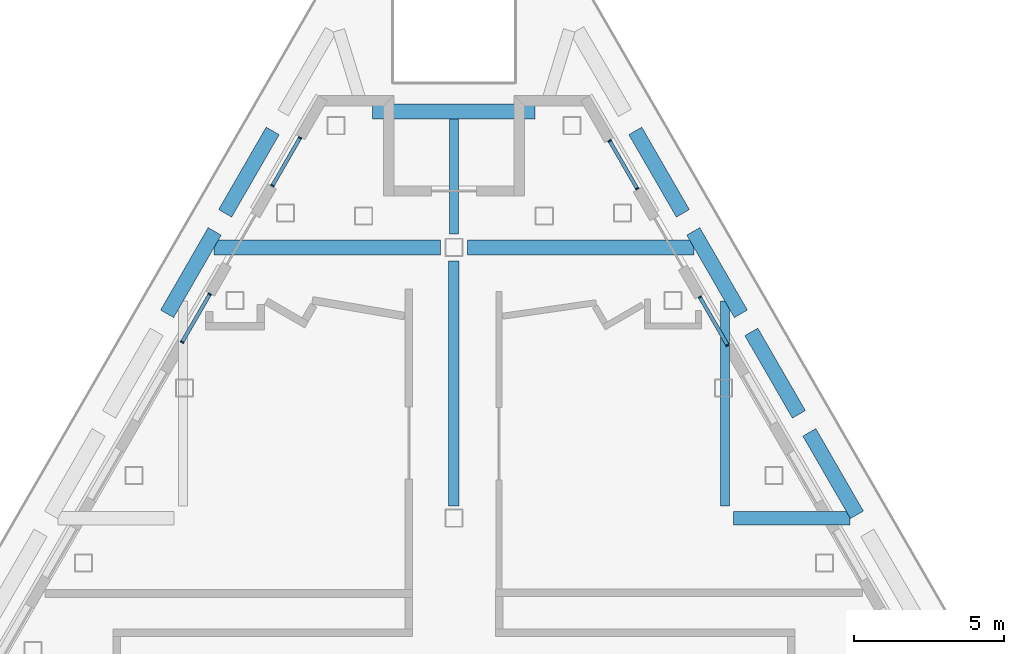
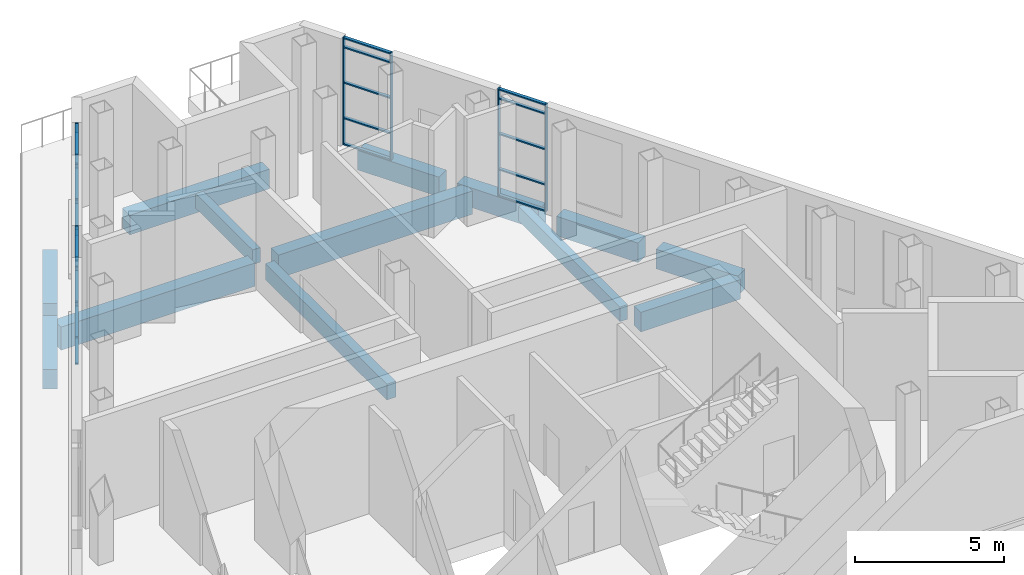
# One storey, part 2 of 7: 28 members, 13 beams, 4 elements without a shape of their own.
"""IFC4 building model written with IfcOpenShell, lengths in metres."""

from ifc_helpers import new_model, si_unit, direction, frame, origin, origin_2d, place, context, subcontext, project, spatial, rectangle, extrude, material, material_profile, profile_set, type_object, element, aggregate, save


model = new_model("IFC4")

# Units and contexts
model_context = context("Model", 3, precision=1e-05, world=origin(), true_north=direction((0.0, 1.0)))
body_context = subcontext(model_context, "Body", "Model", "MODEL_VIEW")
ifc_project = project(units=[si_unit("LENGTHUNIT", "METRE"), si_unit("AREAUNIT", "SQUARE_METRE"), si_unit("VOLUMEUNIT", "CUBIC_METRE"), si_unit("PLANEANGLEUNIT", "RADIAN"), si_unit("MASSUNIT", "GRAM", prefix="KILO")], contexts=[model_context])

# Site, building, storey
site_placement = place(None, origin())
site = spatial("IfcSite", under=ifc_project, at=site_placement, CompositionType="ELEMENT")
building_placement = place(site_placement, origin())
building = spatial("IfcBuilding", under=site, at=building_placement, Name="Fogline Exchange Tower", CompositionType="ELEMENT")
storey_placement = place(building_placement, frame((0.0, 0.0, 350.10009765625)))
storey = spatial("IfcBuildingStorey", under=building, at=storey_placement, Name="L79", CompositionType="ELEMENT", Elevation=350.10009765625)

# Beams
ifc_material_1 = material(Name="Concrete C40", Category="concrete")
ifc_material_profile_1 = material_profile(ifc_material_1, rectangle(XDim=0.300048828125, YDim=0.60009765625, at=origin_2d()), Name="RC 300x600")
ifc_profile_set_1 = profile_set([ifc_material_profile_1], Name="Concrete C40")
beam_type_1 = type_object("IfcBeamType", Name="B06", PredefinedType="BEAM", material=ifc_profile_set_1)
beam_1_placement = place(storey_placement, frame((0.0, 27.449951171875, -0.900146484375), z_axis=(0.0, 1.0, 0.0), x_axis=(-1.0, 0.0, 0.0)))
element("IfcBeam", 1, at=beam_1_placement, inside=storey, type_object=beam_type_1, Name="SB003", PredefinedType="BEAM", context=body_context, shape_type="SweptSolid", body=[
    extrude(rectangle(XDim=0.300048828125, YDim=0.60009765625, at=origin_2d()), origin(), (0.0, 0.0, 1.0), 3.80712890625),
])
beam_2_placement = place(storey_placement, frame((9.0, 18.39990234375, -0.900146484375), z_axis=(0.0, 1.0, 0.0), x_axis=(-1.0, 0.0, 0.0)))
element("IfcBeam", 2, at=beam_2_placement, inside=storey, type_object=beam_type_1, Name="SB004", PredefinedType="BEAM", context=body_context, shape_type="SweptSolid", body=[
    extrude(rectangle(XDim=0.300048828125, YDim=0.60009765625, at=origin_2d()), origin(), (0.0, 0.0, 1.0), 6.81298828125),
])
ifc_material_profile_2 = material_profile(ifc_material_1, rectangle(XDim=0.5, YDim=0.800048828125, at=origin_2d()), Name="RC 500x800")
ifc_profile_set_2 = profile_set([ifc_material_profile_2], Name="Concrete C40")
beam_type_2 = type_object("IfcBeamType", Name="B10", PredefinedType="BEAM", material=ifc_profile_set_2)
beam_3_placement = place(storey_placement, frame((13.388671875, 18.111572265625, -1.0), z_axis=(-0.500040948879, 0.866001760647, 0.0), x_axis=(-0.866001760647, -0.500040948879, 0.0)))
element("IfcBeam", 3, at=beam_3_placement, inside=storey, type_object=beam_type_2, Name="RB010", PredefinedType="BEAM", context=body_context, shape_type="SweptSolid", body=[
    extrude(rectangle(XDim=0.5, YDim=0.800048828125, at=origin_2d()), origin(), (0.0, 0.0, 1.0), 3.162841796875),
])
beam_4_placement = place(storey_placement, frame((11.460693359375, 21.45068359375, -1.0), z_axis=(-0.49998305571, 0.866035186354, 0.0), x_axis=(-0.866035186354, -0.49998305571, 0.0)))
element("IfcBeam", 4, at=beam_4_placement, inside=storey, type_object=beam_type_2, Name="RB011", PredefinedType="BEAM", context=body_context, shape_type="SweptSolid", body=[
    extrude(rectangle(XDim=0.5, YDim=0.800048828125, at=origin_2d()), origin(), (0.0, 0.0, 1.0), 3.16259765625),
])
beam_5_placement = place(storey_placement, frame((9.532958984375, 24.789794921875, -1.0), z_axis=(-0.500040948879, 0.866001760647, 0.0), x_axis=(-0.866001760647, -0.500040948879, 0.0)))
element("IfcBeam", 5, at=beam_5_placement, inside=storey, type_object=beam_type_2, Name="RB012", PredefinedType="BEAM", context=body_context, shape_type="SweptSolid", body=[
    extrude(rectangle(XDim=0.5, YDim=0.800048828125, at=origin_2d()), origin(), (0.0, 0.0, 1.0), 3.162841796875),
])
beam_6_placement = place(storey_placement, frame((7.60498046875, 28.12890625, -1.0), z_axis=(-0.49998305571, 0.866035186354, 0.0), x_axis=(-0.866035186354, -0.49998305571, 0.0)))
element("IfcBeam", 6, at=beam_6_placement, inside=storey, type_object=beam_type_2, Name="RB013", PredefinedType="BEAM", context=body_context, shape_type="SweptSolid", body=[
    extrude(rectangle(XDim=0.5, YDim=0.800048828125, at=origin_2d()), origin(), (0.0, 0.0, 1.0), 3.16259765625),
])
beam_7_placement = place(storey_placement, frame((2.699951171875, 31.507080078125, -1.0), z_axis=(-1.0, 0.0, 0.0), x_axis=(0.0, -1.0, 0.0)))
element("IfcBeam", 7, at=beam_7_placement, inside=storey, type_object=beam_type_2, Name="RB016", PredefinedType="BEAM", context=body_context, shape_type="SweptSolid", body=[
    extrude(rectangle(XDim=0.5, YDim=0.800048828125, at=origin_2d()), origin(), (0.0, 0.0, 1.0), 5.39990234375),
])
beam_8_placement = place(storey_placement, frame((-6.023681640625, 30.867919921875, -1.0), z_axis=(-0.49998305571, -0.866035186354, 0.0), x_axis=(0.866035186354, -0.49998305571, 0.0)))
element("IfcBeam", 8, at=beam_8_placement, inside=storey, type_object=beam_type_2, Name="RB019", PredefinedType="BEAM", context=body_context, shape_type="SweptSolid", body=[
    extrude(rectangle(XDim=0.5, YDim=0.800048828125, at=origin_2d()), origin(), (0.0, 0.0, 1.0), 3.16259765625),
])
beam_9_placement = place(storey_placement, frame((-7.951416015625, 27.52880859375, -1.0), z_axis=(-0.500040948879, -0.866001760647, 0.0), x_axis=(0.866001760647, -0.500040948879, 0.0)))
element("IfcBeam", 9, at=beam_9_placement, inside=storey, type_object=beam_type_2, Name="RB020", PredefinedType="BEAM", context=body_context, shape_type="SweptSolid", body=[
    extrude(rectangle(XDim=0.5, YDim=0.800048828125, at=origin_2d()), origin(), (0.0, 0.0, 1.0), 3.162841796875),
])
ifc_material_profile_3 = material_profile(ifc_material_1, rectangle(XDim=0.5, YDim=0.949951171875, at=origin_2d()), Name="RC 500x950")
ifc_profile_set_3 = profile_set([ifc_material_profile_3], Name="Concrete C40")
beam_type_3 = type_object("IfcBeamType", Name="B14", PredefinedType="BEAM", material=ifc_profile_set_3)
for number, where, z_axis, x_axis, name in (
    (10, (-7.96826171875, 27.0, -1.0751953125), (1.0, 0.0, 0.0), (0.0, 1.0, 0.0), "GB005"),
    (11, (0.449951171875, 27.0, -1.0751953125), (1.0, 0.0, 0.0), (0.0, 1.0, 0.0), "GB006"),
):
    element("IfcBeam", number, at=place(storey_placement, frame(where, z_axis=z_axis, x_axis=x_axis)), inside=storey, type_object=beam_type_3, Name=name, PredefinedType="BEAM", context=body_context, shape_type="SweptSolid", body=[
        extrude(rectangle(XDim=0.5, YDim=0.949951171875, at=origin_2d()), origin(), (0.0, 0.0, 1.0), 7.518310546875),
    ])
ifc_material_profile_4 = material_profile(ifc_material_1, rectangle(XDim=0.35009765625, YDim=0.64990234375, at=origin_2d()), Name="RC 350x650")
ifc_profile_set_4 = profile_set([ifc_material_profile_4], Name="Concrete C40")
beam_type_4 = type_object("IfcBeamType", Name="B16", PredefinedType="BEAM", material=ifc_profile_set_4)
beam_10_placement = place(storey_placement, frame((0.0, 18.39990234375, -0.925048828125), z_axis=(0.0, 1.0, 0.0), x_axis=(-1.0, 0.0, 0.0)))
element("IfcBeam", 12, at=beam_10_placement, inside=storey, type_object=beam_type_4, Name="SB002", PredefinedType="BEAM", context=body_context, shape_type="SweptSolid", body=[
    extrude(rectangle(XDim=0.35009765625, YDim=0.64990234375, at=origin_2d()), origin(), (0.0, 0.0, 1.0), 8.150146484375),
])
ifc_material_profile_5 = material_profile(ifc_material_1, rectangle(XDim=0.449951171875, YDim=0.800048828125, at=origin_2d()), Name="RC 450x800")
ifc_profile_set_5 = profile_set([ifc_material_profile_5], Name="Concrete C40")
beam_type_5 = type_object("IfcBeamType", Name="B18", PredefinedType="BEAM", material=ifc_profile_set_5)
beam_11_placement = place(storey_placement, frame((9.296142578125, 18.0, -1.0), z_axis=(1.0, 0.0, 0.0), x_axis=(0.0, 1.0, 0.0)))
element("IfcBeam", 13, at=beam_11_placement, inside=storey, type_object=beam_type_5, Name="GB004", PredefinedType="BEAM", context=body_context, shape_type="SweptSolid", body=[
    extrude(rectangle(XDim=0.449951171875, YDim=0.800048828125, at=origin_2d()), origin(), (0.0, 0.0, 1.0), 3.8681640625),
])

# Curtain wall, members
ifc_material_2 = material(Name="Aluminium and glass", Category="aluminium")
curtain_wall_type = type_object("IfcCurtainWallType", Name="CW6", PredefinedType="NOTDEFINED", material=ifc_material_2)
curtain_wall_1_placement = place(storey_placement, origin())
curtain_wall_1 = element("IfcCurtainWall", 14, at=curtain_wall_1_placement, inside=storey, type_object=curtain_wall_type, Name="CW6 L79 E run 1", PredefinedType="NOTDEFINED")
ifc_material_3 = material(Name="Aluminium", Category="aluminium")
ifc_material_profile_6 = material_profile(ifc_material_3, rectangle(XDim=0.1201171875, YDim=0.050048828125, at=origin_2d()), Name="Mullion 50x120")
ifc_profile_set_6 = profile_set([ifc_material_profile_6], Name="Aluminium")
member_type_1 = type_object("IfcMemberType", Name="CW6-M", PredefinedType="MULLION", material=ifc_profile_set_6)
member_1_placement = place(storey_placement, frame((9.09033203125, 23.75244140625, 0.0), z_axis=(0.0, 0.0, 1.0), x_axis=(-0.866025684137, -0.499999514416, 0.0)))
member_1 = element("IfcMember", 15, at=member_1_placement, type_object=member_type_1, Name="CW6-L79-01 mullion 1", PredefinedType="MULLION", context=body_context, shape_type="SweptSolid", body=[
    extrude(rectangle(XDim=0.1201171875, YDim=0.050048828125, at=origin_2d()), origin(), (0.0, 0.0, 1.0), 4.39990234375),
])
member_2_placement = place(storey_placement, frame((8.1728515625, 25.341552734375, 0.0), z_axis=(0.0, 0.0, 1.0), x_axis=(-0.866025684137, -0.499999514416, 0.0)))
member_2 = element("IfcMember", 16, at=member_2_placement, type_object=member_type_1, Name="CW6-L79-01 mullion 2", PredefinedType="MULLION", context=body_context, shape_type="SweptSolid", body=[
    extrude(rectangle(XDim=0.1201171875, YDim=0.050048828125, at=origin_2d()), origin(), (0.0, 0.0, 1.0), 4.39990234375),
])

curtain_wall_2_placement = place(storey_placement, origin())
curtain_wall_2 = element("IfcCurtainWall", 17, at=curtain_wall_2_placement, inside=storey, type_object=curtain_wall_type, Name="CW6 L79 E run 2", PredefinedType="NOTDEFINED")
member_3_placement = place(storey_placement, frame((6.09033203125, 28.948486328125, 0.0), z_axis=(0.0, 0.0, 1.0), x_axis=(-0.866025684137, -0.499999514416, 0.0)))
member_3 = element("IfcMember", 18, at=member_3_placement, type_object=member_type_1, Name="CW6-L79-02 mullion 1", PredefinedType="MULLION", context=body_context, shape_type="SweptSolid", body=[
    extrude(rectangle(XDim=0.1201171875, YDim=0.050048828125, at=origin_2d()), origin(), (0.0, 0.0, 1.0), 4.39990234375),
])
member_4_placement = place(storey_placement, frame((5.1728515625, 30.53759765625, 0.0), z_axis=(0.0, 0.0, 1.0), x_axis=(-0.866025684137, -0.499999514416, 0.0)))
member_4 = element("IfcMember", 19, at=member_4_placement, type_object=member_type_1, Name="CW6-L79-02 mullion 2", PredefinedType="MULLION", context=body_context, shape_type="SweptSolid", body=[
    extrude(rectangle(XDim=0.1201171875, YDim=0.050048828125, at=origin_2d()), origin(), (0.0, 0.0, 1.0), 4.39990234375),
])

curtain_wall_3_placement = place(storey_placement, origin())
curtain_wall_3 = element("IfcCurtainWall", 20, at=curtain_wall_3_placement, inside=storey, type_object=curtain_wall_type, Name="CW6 L79 W run 1", PredefinedType="NOTDEFINED")
member_5_placement = place(storey_placement, frame((-5.115234375, 30.63720703125, 0.0), z_axis=(0.0, 0.0, 1.0), x_axis=(0.866025684137, -0.499999514416, 0.0)))
member_5 = element("IfcMember", 21, at=member_5_placement, type_object=member_type_1, Name="CW6-L79-03 mullion 1", PredefinedType="MULLION", context=body_context, shape_type="SweptSolid", body=[
    extrude(rectangle(XDim=0.1201171875, YDim=0.050048828125, at=origin_2d()), origin(), (0.0, 0.0, 1.0), 4.39990234375),
])
member_6_placement = place(storey_placement, frame((-6.03271484375, 29.048095703125, 0.0), z_axis=(0.0, 0.0, 1.0), x_axis=(0.866025684137, -0.499999514416, 0.0)))
member_6 = element("IfcMember", 22, at=member_6_placement, type_object=member_type_1, Name="CW6-L79-03 mullion 2", PredefinedType="MULLION", context=body_context, shape_type="SweptSolid", body=[
    extrude(rectangle(XDim=0.1201171875, YDim=0.050048828125, at=origin_2d()), origin(), (0.0, 0.0, 1.0), 4.39990234375),
])

curtain_wall_4_placement = place(storey_placement, origin())
curtain_wall_4 = element("IfcCurtainWall", 23, at=curtain_wall_4_placement, inside=storey, type_object=curtain_wall_type, Name="CW6 L79 W run 2", PredefinedType="NOTDEFINED")
member_7_placement = place(storey_placement, frame((-8.115234375, 25.441162109375, 0.0), z_axis=(0.0, 0.0, 1.0), x_axis=(0.866025684137, -0.499999514416, 0.0)))
member_7 = element("IfcMember", 24, at=member_7_placement, type_object=member_type_1, Name="CW6-L79-04 mullion 1", PredefinedType="MULLION", context=body_context, shape_type="SweptSolid", body=[
    extrude(rectangle(XDim=0.1201171875, YDim=0.050048828125, at=origin_2d()), origin(), (0.0, 0.0, 1.0), 4.39990234375),
])
member_8_placement = place(storey_placement, frame((-9.03271484375, 23.85205078125, 0.0), z_axis=(0.0, 0.0, 1.0), x_axis=(0.866025684137, -0.499999514416, 0.0)))
member_8 = element("IfcMember", 25, at=member_8_placement, type_object=member_type_1, Name="CW6-L79-04 mullion 2", PredefinedType="MULLION", context=body_context, shape_type="SweptSolid", body=[
    extrude(rectangle(XDim=0.1201171875, YDim=0.050048828125, at=origin_2d()), origin(), (0.0, 0.0, 1.0), 4.39990234375),
])

# Member
ifc_material_profile_7 = material_profile(ifc_material_3, rectangle(XDim=0.1201171875, YDim=0.054931640625, at=origin_2d()), Name="Transom 55x120")
ifc_profile_set_7 = profile_set([ifc_material_profile_7], Name="Aluminium")
member_type_2 = type_object("IfcMemberType", Name="CW6-T", PredefinedType="USERDEFINED", material=ifc_profile_set_7)
member_9_placement = place(storey_placement, frame((9.077880859375, 23.77392578125, 0.02734375), z_axis=(-0.500022371132, 0.86601248742, 0.0), x_axis=(-0.86601248742, -0.500022371132, 0.0)))
member_9 = element("IfcMember", 26, at=member_9_placement, type_object=member_type_2, Name="CW6-L79-01 transom 1.1", ObjectType="TRANSOM", PredefinedType="USERDEFINED", context=body_context, shape_type="SweptSolid", body=[
    extrude(rectangle(XDim=0.1201171875, YDim=0.054931640625, at=origin_2d()), origin(), (0.0, 0.0, 1.0), 1.78515625),
])

member_10_placement = place(storey_placement, frame((9.077880859375, 23.77392578125, 1.099853515625), z_axis=(-0.500022371132, 0.86601248742, 0.0), x_axis=(-0.86601248742, -0.500022371132, 0.0)))
member_10 = element("IfcMember", 27, at=member_10_placement, type_object=member_type_2, Name="CW6-L79-01 transom 1.2", ObjectType="TRANSOM", PredefinedType="USERDEFINED", context=body_context, shape_type="SweptSolid", body=[
    extrude(rectangle(XDim=0.1201171875, YDim=0.054931640625, at=origin_2d()), origin(), (0.0, 0.0, 1.0), 1.78515625),
])

member_11_placement = place(storey_placement, frame((9.077880859375, 23.77392578125, 2.5498046875), z_axis=(-0.500022371132, 0.86601248742, 0.0), x_axis=(-0.86601248742, -0.500022371132, 0.0)))
member_11 = element("IfcMember", 28, at=member_11_placement, type_object=member_type_2, Name="CW6-L79-01 transom 1.3", ObjectType="TRANSOM", PredefinedType="USERDEFINED", context=body_context, shape_type="SweptSolid", body=[
    extrude(rectangle(XDim=0.1201171875, YDim=0.054931640625, at=origin_2d()), origin(), (0.0, 0.0, 1.0), 1.78515625),
])

member_12_placement = place(storey_placement, frame((9.077880859375, 23.77392578125, 4.0), z_axis=(-0.500022371132, 0.86601248742, 0.0), x_axis=(-0.86601248742, -0.500022371132, 0.0)))
member_12 = element("IfcMember", 29, at=member_12_placement, type_object=member_type_2, Name="CW6-L79-01 transom 1.4", ObjectType="TRANSOM", PredefinedType="USERDEFINED", context=body_context, shape_type="SweptSolid", body=[
    extrude(rectangle(XDim=0.1201171875, YDim=0.054931640625, at=origin_2d()), origin(), (0.0, 0.0, 1.0), 1.78515625),
])

member_13_placement = place(storey_placement, frame((9.077880859375, 23.77392578125, 4.372314453125), z_axis=(-0.500022371132, 0.86601248742, 0.0), x_axis=(-0.86601248742, -0.500022371132, 0.0)))
member_13 = element("IfcMember", 30, at=member_13_placement, type_object=member_type_2, Name="CW6-L79-01 transom 1.5", ObjectType="TRANSOM", PredefinedType="USERDEFINED", context=body_context, shape_type="SweptSolid", body=[
    extrude(rectangle(XDim=0.1201171875, YDim=0.054931640625, at=origin_2d()), origin(), (0.0, 0.0, 1.0), 1.78515625),
])

aggregate(curtain_wall_1, [member_1, member_2, member_9, member_10, member_11, member_12, member_13])

member_14_placement = place(storey_placement, frame((6.077880859375, 28.97021484375, 0.02734375), z_axis=(-0.500022371132, 0.86601248742, 0.0), x_axis=(-0.86601248742, -0.500022371132, 0.0)))
member_14 = element("IfcMember", 31, at=member_14_placement, type_object=member_type_2, Name="CW6-L79-02 transom 1.1", ObjectType="TRANSOM", PredefinedType="USERDEFINED", context=body_context, shape_type="SweptSolid", body=[
    extrude(rectangle(XDim=0.1201171875, YDim=0.054931640625, at=origin_2d()), origin(), (0.0, 0.0, 1.0), 1.78515625),
])

member_15_placement = place(storey_placement, frame((6.077880859375, 28.97021484375, 1.099853515625), z_axis=(-0.500022371132, 0.86601248742, 0.0), x_axis=(-0.86601248742, -0.500022371132, 0.0)))
member_15 = element("IfcMember", 32, at=member_15_placement, type_object=member_type_2, Name="CW6-L79-02 transom 1.2", ObjectType="TRANSOM", PredefinedType="USERDEFINED", context=body_context, shape_type="SweptSolid", body=[
    extrude(rectangle(XDim=0.1201171875, YDim=0.054931640625, at=origin_2d()), origin(), (0.0, 0.0, 1.0), 1.78515625),
])

member_16_placement = place(storey_placement, frame((6.077880859375, 28.97021484375, 2.5498046875), z_axis=(-0.500022371132, 0.86601248742, 0.0), x_axis=(-0.86601248742, -0.500022371132, 0.0)))
member_16 = element("IfcMember", 33, at=member_16_placement, type_object=member_type_2, Name="CW6-L79-02 transom 1.3", ObjectType="TRANSOM", PredefinedType="USERDEFINED", context=body_context, shape_type="SweptSolid", body=[
    extrude(rectangle(XDim=0.1201171875, YDim=0.054931640625, at=origin_2d()), origin(), (0.0, 0.0, 1.0), 1.78515625),
])

member_17_placement = place(storey_placement, frame((6.077880859375, 28.97021484375, 4.0), z_axis=(-0.500022371132, 0.86601248742, 0.0), x_axis=(-0.86601248742, -0.500022371132, 0.0)))
member_17 = element("IfcMember", 34, at=member_17_placement, type_object=member_type_2, Name="CW6-L79-02 transom 1.4", ObjectType="TRANSOM", PredefinedType="USERDEFINED", context=body_context, shape_type="SweptSolid", body=[
    extrude(rectangle(XDim=0.1201171875, YDim=0.054931640625, at=origin_2d()), origin(), (0.0, 0.0, 1.0), 1.78515625),
])

member_18_placement = place(storey_placement, frame((6.077880859375, 28.97021484375, 4.372314453125), z_axis=(-0.500022371132, 0.86601248742, 0.0), x_axis=(-0.86601248742, -0.500022371132, 0.0)))
member_18 = element("IfcMember", 35, at=member_18_placement, type_object=member_type_2, Name="CW6-L79-02 transom 1.5", ObjectType="TRANSOM", PredefinedType="USERDEFINED", context=body_context, shape_type="SweptSolid", body=[
    extrude(rectangle(XDim=0.1201171875, YDim=0.054931640625, at=origin_2d()), origin(), (0.0, 0.0, 1.0), 1.78515625),
])

aggregate(curtain_wall_2, [member_3, member_4, member_14, member_15, member_16, member_17, member_18])

member_19_placement = place(storey_placement, frame((-5.127685546875, 30.615478515625, 0.02734375), z_axis=(-0.500081600855, -0.865978286383, 0.0), x_axis=(0.865978286383, -0.500081600855, 0.0)))
member_19 = element("IfcMember", 36, at=member_19_placement, type_object=member_type_2, Name="CW6-L79-03 transom 1.1", ObjectType="TRANSOM", PredefinedType="USERDEFINED", context=body_context, shape_type="SweptSolid", body=[
    extrude(rectangle(XDim=0.1201171875, YDim=0.054931640625, at=origin_2d()), origin(), (0.0, 0.0, 1.0), 1.784912109375),
])

member_20_placement = place(storey_placement, frame((-5.127685546875, 30.615478515625, 1.099853515625), z_axis=(-0.500081600855, -0.865978286383, 0.0), x_axis=(0.865978286383, -0.500081600855, 0.0)))
member_20 = element("IfcMember", 37, at=member_20_placement, type_object=member_type_2, Name="CW6-L79-03 transom 1.2", ObjectType="TRANSOM", PredefinedType="USERDEFINED", context=body_context, shape_type="SweptSolid", body=[
    extrude(rectangle(XDim=0.1201171875, YDim=0.054931640625, at=origin_2d()), origin(), (0.0, 0.0, 1.0), 1.784912109375),
])

member_21_placement = place(storey_placement, frame((-5.127685546875, 30.615478515625, 2.5498046875), z_axis=(-0.500081600855, -0.865978286383, 0.0), x_axis=(0.865978286383, -0.500081600855, 0.0)))
member_21 = element("IfcMember", 38, at=member_21_placement, type_object=member_type_2, Name="CW6-L79-03 transom 1.3", ObjectType="TRANSOM", PredefinedType="USERDEFINED", context=body_context, shape_type="SweptSolid", body=[
    extrude(rectangle(XDim=0.1201171875, YDim=0.054931640625, at=origin_2d()), origin(), (0.0, 0.0, 1.0), 1.784912109375),
])

member_22_placement = place(storey_placement, frame((-5.127685546875, 30.615478515625, 4.0), z_axis=(-0.500081600855, -0.865978286383, 0.0), x_axis=(0.865978286383, -0.500081600855, 0.0)))
member_22 = element("IfcMember", 39, at=member_22_placement, type_object=member_type_2, Name="CW6-L79-03 transom 1.4", ObjectType="TRANSOM", PredefinedType="USERDEFINED", context=body_context, shape_type="SweptSolid", body=[
    extrude(rectangle(XDim=0.1201171875, YDim=0.054931640625, at=origin_2d()), origin(), (0.0, 0.0, 1.0), 1.784912109375),
])

member_23_placement = place(storey_placement, frame((-5.127685546875, 30.615478515625, 4.372314453125), z_axis=(-0.500081600855, -0.865978286383, 0.0), x_axis=(0.865978286383, -0.500081600855, 0.0)))
member_23 = element("IfcMember", 40, at=member_23_placement, type_object=member_type_2, Name="CW6-L79-03 transom 1.5", ObjectType="TRANSOM", PredefinedType="USERDEFINED", context=body_context, shape_type="SweptSolid", body=[
    extrude(rectangle(XDim=0.1201171875, YDim=0.054931640625, at=origin_2d()), origin(), (0.0, 0.0, 1.0), 1.784912109375),
])

aggregate(curtain_wall_3, [member_5, member_6, member_19, member_20, member_21, member_22, member_23])

member_24_placement = place(storey_placement, frame((-8.127685546875, 25.41943359375, 0.02734375), z_axis=(-0.500022371132, -0.86601248742, 0.0), x_axis=(0.86601248742, -0.500022371132, 0.0)))
member_24 = element("IfcMember", 41, at=member_24_placement, type_object=member_type_2, Name="CW6-L79-04 transom 1.1", ObjectType="TRANSOM", PredefinedType="USERDEFINED", context=body_context, shape_type="SweptSolid", body=[
    extrude(rectangle(XDim=0.1201171875, YDim=0.054931640625, at=origin_2d()), origin(), (0.0, 0.0, 1.0), 1.78515625),
])

member_25_placement = place(storey_placement, frame((-8.127685546875, 25.41943359375, 1.099853515625), z_axis=(-0.500022371132, -0.86601248742, 0.0), x_axis=(0.86601248742, -0.500022371132, 0.0)))
member_25 = element("IfcMember", 42, at=member_25_placement, type_object=member_type_2, Name="CW6-L79-04 transom 1.2", ObjectType="TRANSOM", PredefinedType="USERDEFINED", context=body_context, shape_type="SweptSolid", body=[
    extrude(rectangle(XDim=0.1201171875, YDim=0.054931640625, at=origin_2d()), origin(), (0.0, 0.0, 1.0), 1.78515625),
])

member_26_placement = place(storey_placement, frame((-8.127685546875, 25.41943359375, 2.5498046875), z_axis=(-0.500022371132, -0.86601248742, 0.0), x_axis=(0.86601248742, -0.500022371132, 0.0)))
member_26 = element("IfcMember", 43, at=member_26_placement, type_object=member_type_2, Name="CW6-L79-04 transom 1.3", ObjectType="TRANSOM", PredefinedType="USERDEFINED", context=body_context, shape_type="SweptSolid", body=[
    extrude(rectangle(XDim=0.1201171875, YDim=0.054931640625, at=origin_2d()), origin(), (0.0, 0.0, 1.0), 1.78515625),
])

member_27_placement = place(storey_placement, frame((-8.127685546875, 25.41943359375, 4.0), z_axis=(-0.500022371132, -0.86601248742, 0.0), x_axis=(0.86601248742, -0.500022371132, 0.0)))
member_27 = element("IfcMember", 44, at=member_27_placement, type_object=member_type_2, Name="CW6-L79-04 transom 1.4", ObjectType="TRANSOM", PredefinedType="USERDEFINED", context=body_context, shape_type="SweptSolid", body=[
    extrude(rectangle(XDim=0.1201171875, YDim=0.054931640625, at=origin_2d()), origin(), (0.0, 0.0, 1.0), 1.78515625),
])

member_28_placement = place(storey_placement, frame((-8.127685546875, 25.41943359375, 4.372314453125), z_axis=(-0.500022371132, -0.86601248742, 0.0), x_axis=(0.86601248742, -0.500022371132, 0.0)))
member_28 = element("IfcMember", 45, at=member_28_placement, type_object=member_type_2, Name="CW6-L79-04 transom 1.5", ObjectType="TRANSOM", PredefinedType="USERDEFINED", context=body_context, shape_type="SweptSolid", body=[
    extrude(rectangle(XDim=0.1201171875, YDim=0.054931640625, at=origin_2d()), origin(), (0.0, 0.0, 1.0), 1.78515625),
])

aggregate(curtain_wall_4, [member_7, member_8, member_24, member_25, member_26, member_27, member_28])

save(model, "model.ifc")
